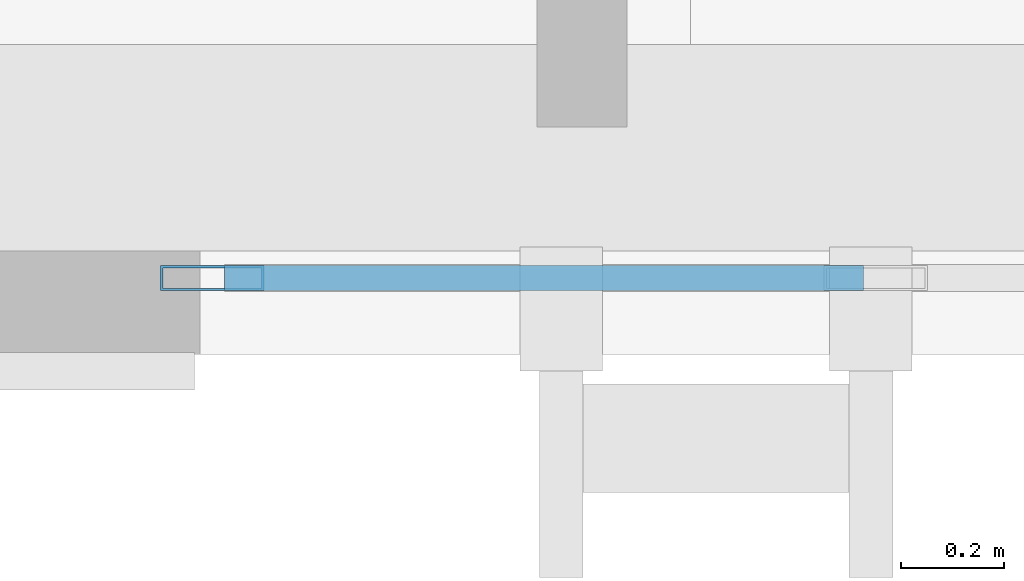
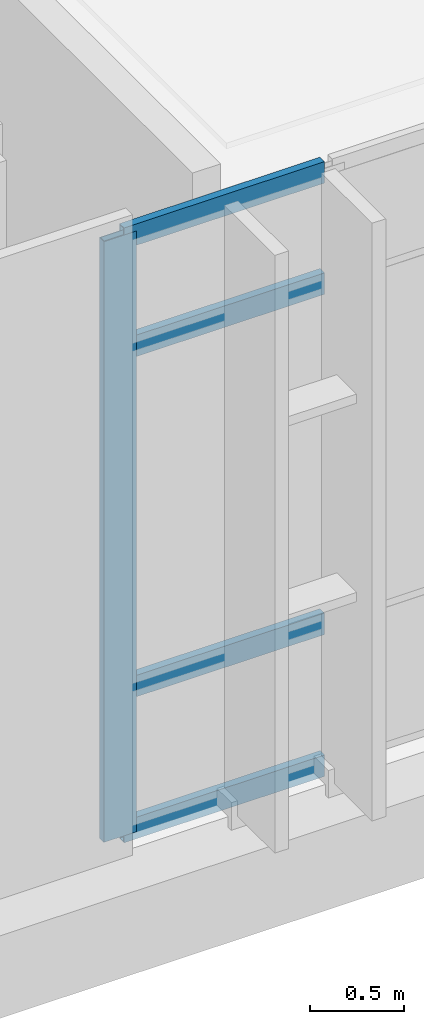
# One storey, part 9 of 165: 5 members, 1 element without a shape of its own.
"""IFC4 building model written with IfcOpenShell, lengths in metres."""

import ifcopenshell
import ifcopenshell.guid

model = None  # the IFC model being written
_history = None  # IfcOwnerHistory: only IFC2X3 demands one
_inside = {}  # id of a spatial element -> (the spatial element, [elements in it])
_under = {}  # id of a project, library or spatial element -> (it, [spatial elements below it])
_declared = {}  # id of a project -> (the project, [libraries it declares])
_typed = {}  # id of a type object -> (the type object, [elements of that type])
_made_of = {}  # id of a material, layer set ... -> (it, [elements and type objects made of it])


def new_model(schema):
    """Start an empty IFC model of exactly this schema.

    Asked for "IFC4X3", IfcOpenShell would pick the latest addendum, in which some entities
    have other attributes; the version numbers below select the first issue.
    IFC2X3 requires an IfcOwnerHistory on every rooted entity: one is made here for all.
    """
    global model, _history
    if schema == "IFC4X3":
        model = ifcopenshell.file(schema_version=(4, 3, 0, 0))
    else:
        model = ifcopenshell.file(schema=schema)
    _inside.clear()
    _under.clear()
    _declared.clear()
    _typed.clear()
    _made_of.clear()
    _history = None
    if model.schema == "IFC2X3":
        org = make("IfcOrganization", Name="unknown")
        user = make(
            "IfcPersonAndOrganization",
            ThePerson=make("IfcPerson", FamilyName="unknown"),
            TheOrganization=org,
        )
        app = make(
            "IfcApplication",
            ApplicationDeveloper=org,
            Version="unknown",
            ApplicationFullName="unknown",
            ApplicationIdentifier="unknown",
        )
        _history = make(
            "IfcOwnerHistory",
            OwningUser=user,
            OwningApplication=app,
            ChangeAction="ADDED",
            CreationDate=0,
        )
    return model


def make(cls, **values):
    """One entity of the class cls with the attributes given. An attribute that is None is left unset."""
    return model.create_entity(
        cls, **{name: value for name, value in values.items() if value is not None}
    )


def rooted(cls, **values):
    """An entity with a GlobalId (a new one), such as an element, a storey or a relation."""
    return make(cls, GlobalId=ifcopenshell.guid.new(), OwnerHistory=_history, **values)


def si_unit(unit_type, name, prefix=None):
    """IfcSIUnit, for example si_unit("LENGTHUNIT", "METRE", prefix="MILLI")."""
    return make("IfcSIUnit", UnitType=unit_type, Prefix=prefix, Name=name)


def assignment(units):
    """IfcUnitAssignment: the units of a project."""
    return None if units is None else make("IfcUnitAssignment", Units=units)


def point(xyz):
    """IfcCartesianPoint."""
    return None if xyz is None else make("IfcCartesianPoint", Coordinates=xyz)


def direction(xyz):
    """IfcDirection."""
    return None if xyz is None else make("IfcDirection", DirectionRatios=xyz)


def frame(location, z_axis=None, x_axis=None):
    """IfcAxis2Placement3D, a coordinate frame: its origin and axes. An axis left out is left unset."""
    return make(
        "IfcAxis2Placement3D",
        Location=point(location),
        Axis=direction(z_axis),
        RefDirection=direction(x_axis),
    )


def frame_2d(location, x_axis=None):
    """IfcAxis2Placement2D, a coordinate frame in the plane: its origin and x axis."""
    return make(
        "IfcAxis2Placement2D", Location=point(location), RefDirection=direction(x_axis)
    )


def origin():
    """The frame at (0, 0, 0) with its axes left unset."""
    return frame((0.0, 0.0, 0.0))


def origin_2d():
    """The frame at (0, 0) in the plane with its x axis left unset."""
    return frame_2d((0.0, 0.0))


def place(relative_to, where):
    """IfcLocalPlacement: puts the frame where relative to a parent placement (None: the world)."""
    return make(
        "IfcLocalPlacement", PlacementRelTo=relative_to, RelativePlacement=where
    )


def context(
    kind, dimensions, precision=None, world=None, true_north=None, identifier=None
):
    """IfcGeometricRepresentationContext, for example the 3D "Model" context."""
    return make(
        "IfcGeometricRepresentationContext",
        ContextIdentifier=identifier,
        ContextType=kind,
        CoordinateSpaceDimension=dimensions,
        Precision=precision,
        WorldCoordinateSystem=world,
        TrueNorth=true_north,
    )


def subcontext(parent, identifier, kind, view, scale=None):
    """IfcGeometricRepresentationSubContext, for example "Body" below "Model"."""
    return make(
        "IfcGeometricRepresentationSubContext",
        ContextIdentifier=identifier,
        ContextType=kind,
        ParentContext=parent,
        TargetScale=scale,
        TargetView=view,
    )


def project(units=None, contexts=None):
    """IfcProject with its units and contexts."""
    return rooted(
        "IfcProject",
        Name="project",
        RepresentationContexts=contexts,
        UnitsInContext=assignment(units),
    )


def spatial(cls, under=None, at=None, **own):
    """A site, building, storey or space (cls), placed at a placement, below another one or the project."""
    s = rooted(cls, ObjectPlacement=at, **own)
    if under is not None:
        _under.setdefault(under.id(), (under, []))[1].append(s)
    return s


def profile(cls, at=None, kind="AREA", **sizes):
    """A parametric profile (cls). Its sizes go by their IFC names, for example OverallWidth=200.0."""
    return make(cls, ProfileType=kind, Position=at, **sizes)


def hollow_rectangle(**sizes):
    """IfcRectangleHollowProfileDef."""
    return profile("IfcRectangleHollowProfileDef", **sizes)


def extrude(swept, where, along, depth):
    """IfcExtrudedAreaSolid: the profile swept, set in the frame where, extruded along a direction by depth."""
    return make(
        "IfcExtrudedAreaSolid",
        SweptArea=swept,
        Position=where,
        ExtrudedDirection=direction(along),
        Depth=depth,
    )


def shape(context_of_items, identifier, shape_type, items):
    """IfcShapeRepresentation: the items that make up one representation, for example the "Body"."""
    return make(
        "IfcShapeRepresentation",
        ContextOfItems=context_of_items,
        RepresentationIdentifier=identifier,
        RepresentationType=shape_type,
        Items=items,
    )


def material(Name=None, Category=None):
    """IfcMaterial."""
    return make("IfcMaterial", Name=Name, Category=Category)


def layer(
    of_material, thickness, ventilated=None, Name=None, Category=None, Priority=None
):
    """IfcMaterialLayer: one layer of a wall or slab, of a material (None: an air gap)."""
    return make(
        "IfcMaterialLayer",
        Material=of_material,
        LayerThickness=thickness,
        IsVentilated=ventilated,
        Name=Name,
        Category=Category,
        Priority=Priority,
    )


def layer_set(layers, Name=None):
    """IfcMaterialLayerSet."""
    return make("IfcMaterialLayerSet", MaterialLayers=layers, LayerSetName=Name)


def material_profile(
    of_material, cross_section, Name=None, Category=None, Priority=None
):
    """IfcMaterialProfile: a cross section and its material."""
    return make(
        "IfcMaterialProfile",
        Name=Name,
        Material=of_material,
        Profile=cross_section,
        Priority=Priority,
        Category=Category,
    )


def profile_set(profiles, Name=None, composite=None):
    """IfcMaterialProfileSet."""
    return make(
        "IfcMaterialProfileSet",
        Name=Name,
        MaterialProfiles=profiles,
        CompositeProfile=composite,
    )


def made_of(thing, what):
    """Note that an element or type object is made of a material, layer set ...; save() writes the relation."""
    if what is not None:
        _made_of.setdefault(what.id(), (what, []))[1].append(thing)
    return thing


def type_object(cls, material=None, **own):
    """A type object (cls), such as IfcWallType, which elements share."""
    return made_of(rooted(cls, **own), material)


def element(
    cls,
    number,
    at=None,
    inside=None,
    cuts=None,
    type_object=None,
    material=None,
    context=None,
    identifier="Body",
    shape_type=None,
    held_by="IfcProductDefinitionShape",
    body=None,
    shapes=None,
    **own,
):
    """One element of the class cls, such as IfcWall. Its Tag is "e" and its number.

    at: its placement. inside: the storey or other place that contains it. cuts: it is an
    opening in that element (IfcRelVoidsElement). A single representation is given by context,
    identifier, shape_type and body (its items); several are given by shapes. held_by: the class
    of the entity that holds the representations. save() writes the other relations.
    """
    e = rooted(cls, Tag="e%d" % number, ObjectPlacement=at, **own)
    if body is not None:
        shapes = [shape(context, identifier, shape_type, body)]
    if shapes is not None:
        e.Representation = make(held_by, Representations=shapes)
    if inside is not None:
        _inside.setdefault(inside.id(), (inside, []))[1].append(e)
    if cuts is not None:
        rooted(
            "IfcRelVoidsElement", RelatingBuildingElement=cuts, RelatedOpeningElement=e
        )
    if type_object is not None:
        _typed.setdefault(type_object.id(), (type_object, []))[1].append(e)
    return made_of(e, material)


def aggregate(whole, parts):
    """IfcRelAggregates: a whole, such as a stair, and the parts it consists of."""
    return rooted("IfcRelAggregates", RelatingObject=whole, RelatedObjects=parts)


def save(model, path):
    """Write the relations noted so far, then the file.

    IfcRelAggregates (storeys below a building ...), IfcRelContainedInSpatialStructure (elements
    in a storey), IfcRelDefinesByType, IfcRelAssociatesMaterial and IfcRelDeclares: one each for
    every whole, place, type object, material and project.
    """
    for whole, parts in _under.values():
        aggregate(whole, parts)
    for where, things in _inside.values():
        rooted(
            "IfcRelContainedInSpatialStructure",
            RelatedElements=things,
            RelatingStructure=where,
        )
    for kind, things in _typed.values():
        rooted("IfcRelDefinesByType", RelatedObjects=things, RelatingType=kind)
    for what, things in _made_of.values():
        rooted("IfcRelAssociatesMaterial", RelatedObjects=things, RelatingMaterial=what)
    for by, libraries in _declared.values():
        rooted("IfcRelDeclares", RelatingContext=by, RelatedDefinitions=libraries)
    model.write(path)


model = new_model("IFC4")

# Units and contexts
model_context = context("Model", 3, precision=1e-05, world=origin(), true_north=direction((0.0, 1.0)))
body_context = subcontext(model_context, "Body", "Model", "MODEL_VIEW")
ifc_project = project(units=[si_unit("LENGTHUNIT", "METRE"), si_unit("AREAUNIT", "SQUARE_METRE"), si_unit("VOLUMEUNIT", "CUBIC_METRE"), si_unit("PLANEANGLEUNIT", "RADIAN"), si_unit("MASSUNIT", "GRAM", prefix="KILO")], contexts=[model_context])

# Site, building, storey
site_placement = place(None, origin())
site = spatial("IfcSite", under=ifc_project, at=site_placement, CompositionType="ELEMENT")
building_placement = place(site_placement, origin())
building = spatial("IfcBuilding", under=site, at=building_placement, Name="Qalavern Law Courts", CompositionType="ELEMENT")
storey_placement = place(building_placement, frame((0.0, 0.0, 14.39990234375)))
storey = spatial("IfcBuildingStorey", under=building, at=storey_placement, Name="L03", CompositionType="ELEMENT", Elevation=14.39990234375)

# Curtain wall, members
ifc_material_1 = material(Name="Anodised aluminium and insulated glazing", Category="aluminium")
ifc_layer = layer(ifc_material_1, 0.18505859375)
ifc_layer_set = layer_set([ifc_layer], Name="Anodised aluminium and insulated glazing")
curtain_wall_type = type_object("IfcCurtainWallType", Name="ENV-CW-HALL", PredefinedType="USERDEFINED", material=ifc_layer_set)
curtain_wall_placement = place(storey_placement, origin())
curtain_wall = element("IfcCurtainWall", 1, at=curtain_wall_placement, inside=storey, type_object=curtain_wall_type, Name="V2 unitised curtain wall L03 south 1", ObjectType="UNITISED CURTAIN WALL", PredefinedType="USERDEFINED")
ifc_material_2 = material(Name="Anodised aluminium", Category="aluminium")
ifc_material_profile_1 = material_profile(ifc_material_2, hollow_rectangle(XDim=0.048095703125, YDim=0.199951171875, WallThickness=0.00439453125, at=origin_2d()), Name="ALU MULLION 48x200")
ifc_profile_set_1 = profile_set([ifc_material_profile_1], Name="Anodised aluminium")
member_type_1 = type_object("IfcMemberType", Name="ENV-CWM-48x200", PredefinedType="MULLION", material=ifc_profile_set_1)
member_1_placement = place(storey_placement, frame((49.1240234375, 5.347412109375, 0.0), z_axis=(0.0, 0.0, 1.0), x_axis=(0.0, 1.0, 0.0)))
member_1 = element("IfcMember", 2, at=member_1_placement, type_object=member_type_1, Name="CW-02 mullion 1", PredefinedType="MULLION", context=body_context, shape_type="SweptSolid", body=[
    extrude(hollow_rectangle(XDim=0.048095703125, YDim=0.199951171875, WallThickness=0.00439453125, at=origin_2d()), origin(), (0.0, 0.0, 1.0), 3.920166015625),
])
ifc_material_profile_2 = material_profile(ifc_material_2, hollow_rectangle(XDim=0.048095703125, YDim=0.139892578125, WallThickness=0.00390625, at=origin_2d()), Name="ALU TRANSOM 48x140")
ifc_profile_set_2 = profile_set([ifc_material_profile_2], Name="Anodised aluminium")
member_type_2 = type_object("IfcMemberType", Name="ENV-CWT-48x140", PredefinedType="USERDEFINED", material=ifc_profile_set_2)
member_2_placement = place(storey_placement, frame((49.14794921875, 5.347412109375, 0.024169921875), z_axis=(1.0, 0.0, 0.0), x_axis=(0.0, 1.0, 0.0)))
member_2 = element("IfcMember", 3, at=member_2_placement, type_object=member_type_2, Name="CW-02 transom 1.1", ObjectType="TRANSOM", PredefinedType="USERDEFINED", context=body_context, shape_type="SweptSolid", body=[
    extrude(hollow_rectangle(XDim=0.048095703125, YDim=0.139892578125, WallThickness=0.00390625, at=origin_2d()), origin(), (0.0, 0.0, 1.0), 1.237548828125),
])
member_3_placement = place(storey_placement, frame((49.14794921875, 5.347412109375, 0.9501953125), z_axis=(1.0, 0.0, 0.0), x_axis=(0.0, 1.0, 0.0)))
member_3 = element("IfcMember", 4, at=member_3_placement, type_object=member_type_2, Name="CW-02 transom 1.2", ObjectType="TRANSOM", PredefinedType="USERDEFINED", context=body_context, shape_type="SweptSolid", body=[
    extrude(hollow_rectangle(XDim=0.048095703125, YDim=0.139892578125, WallThickness=0.00390625, at=origin_2d()), origin(), (0.0, 0.0, 1.0), 1.237548828125),
])
member_4_placement = place(storey_placement, frame((49.14794921875, 5.347412109375, 3.170166015625), z_axis=(1.0, 0.0, 0.0), x_axis=(0.0, 1.0, 0.0)))
member_4 = element("IfcMember", 5, at=member_4_placement, type_object=member_type_2, Name="CW-02 transom 1.3", ObjectType="TRANSOM", PredefinedType="USERDEFINED", context=body_context, shape_type="SweptSolid", body=[
    extrude(hollow_rectangle(XDim=0.048095703125, YDim=0.139892578125, WallThickness=0.00390625, at=origin_2d()), origin(), (0.0, 0.0, 1.0), 1.237548828125),
])
member_5_placement = place(storey_placement, frame((49.14794921875, 5.347412109375, 3.89599609375), z_axis=(1.0, 0.0, 0.0), x_axis=(0.0, 1.0, 0.0)))
member_5 = element("IfcMember", 6, at=member_5_placement, type_object=member_type_2, Name="CW-02 transom 1.4", ObjectType="TRANSOM", PredefinedType="USERDEFINED", context=body_context, shape_type="SweptSolid", body=[
    extrude(hollow_rectangle(XDim=0.048095703125, YDim=0.139892578125, WallThickness=0.00390625, at=origin_2d()), origin(), (0.0, 0.0, 1.0), 1.237548828125),
])
aggregate(curtain_wall, [member_1, member_2, member_3, member_4, member_5])

save(model, "model.ifc")
